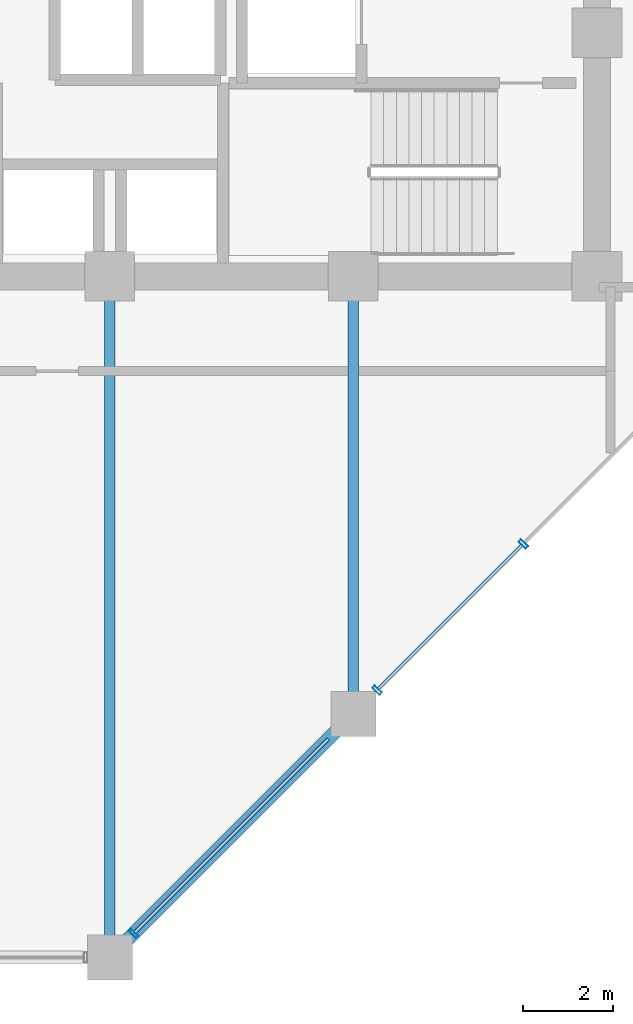
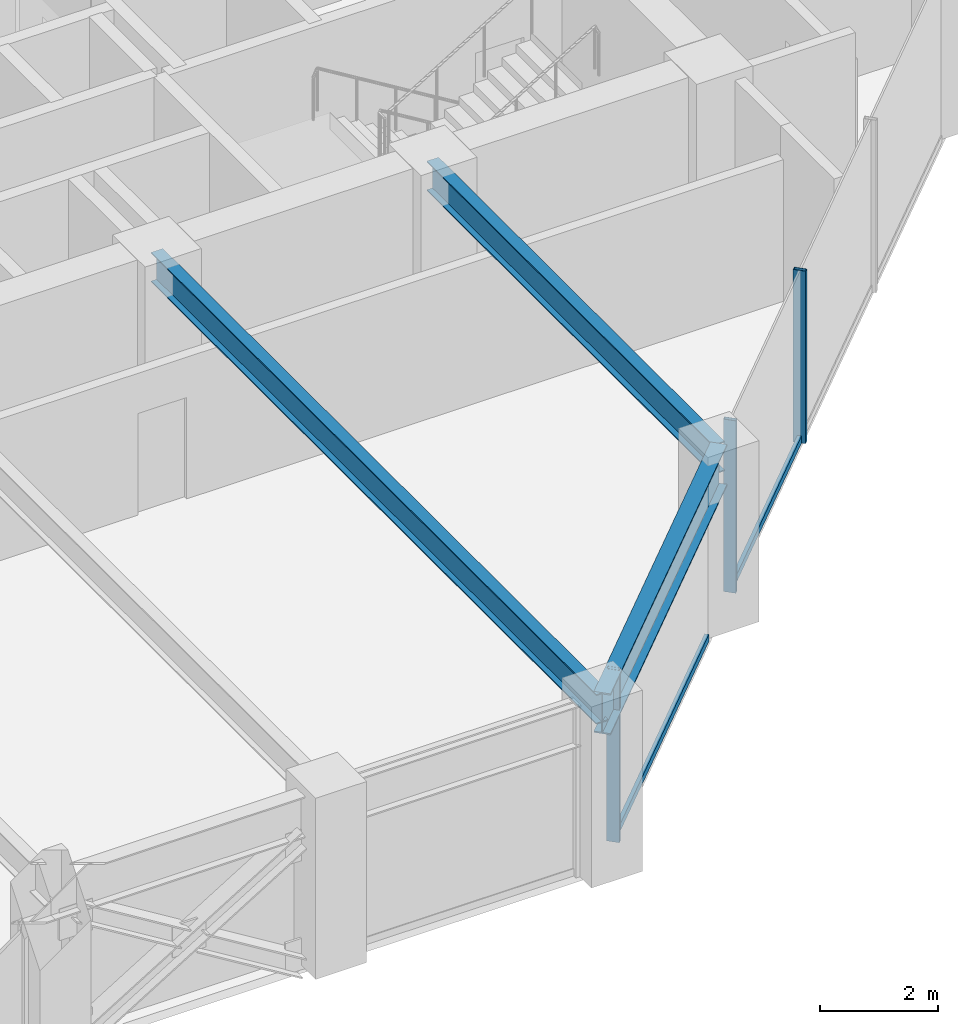
# One storey, part 7 of 23: 5 members, 3 beams, 1 element without a shape of its own.
"""IFC4 building model written with IfcOpenShell, lengths in metres."""

import ifcopenshell
import ifcopenshell.guid

model = None  # the IFC model being written
_history = None  # IfcOwnerHistory: only IFC2X3 demands one
_inside = {}  # id of a spatial element -> (the spatial element, [elements in it])
_under = {}  # id of a project, library or spatial element -> (it, [spatial elements below it])
_declared = {}  # id of a project -> (the project, [libraries it declares])
_typed = {}  # id of a type object -> (the type object, [elements of that type])
_made_of = {}  # id of a material, layer set ... -> (it, [elements and type objects made of it])


def new_model(schema):
    """Start an empty IFC model of exactly this schema.

    Asked for "IFC4X3", IfcOpenShell would pick the latest addendum, in which some entities
    have other attributes; the version numbers below select the first issue.
    IFC2X3 requires an IfcOwnerHistory on every rooted entity: one is made here for all.
    """
    global model, _history
    if schema == "IFC4X3":
        model = ifcopenshell.file(schema_version=(4, 3, 0, 0))
    else:
        model = ifcopenshell.file(schema=schema)
    _inside.clear()
    _under.clear()
    _declared.clear()
    _typed.clear()
    _made_of.clear()
    _history = None
    if model.schema == "IFC2X3":
        org = make("IfcOrganization", Name="unknown")
        user = make(
            "IfcPersonAndOrganization",
            ThePerson=make("IfcPerson", FamilyName="unknown"),
            TheOrganization=org,
        )
        app = make(
            "IfcApplication",
            ApplicationDeveloper=org,
            Version="unknown",
            ApplicationFullName="unknown",
            ApplicationIdentifier="unknown",
        )
        _history = make(
            "IfcOwnerHistory",
            OwningUser=user,
            OwningApplication=app,
            ChangeAction="ADDED",
            CreationDate=0,
        )
    return model


def make(cls, **values):
    """One entity of the class cls with the attributes given. An attribute that is None is left unset."""
    return model.create_entity(
        cls, **{name: value for name, value in values.items() if value is not None}
    )


def rooted(cls, **values):
    """An entity with a GlobalId (a new one), such as an element, a storey or a relation."""
    return make(cls, GlobalId=ifcopenshell.guid.new(), OwnerHistory=_history, **values)


def si_unit(unit_type, name, prefix=None):
    """IfcSIUnit, for example si_unit("LENGTHUNIT", "METRE", prefix="MILLI")."""
    return make("IfcSIUnit", UnitType=unit_type, Prefix=prefix, Name=name)


def assignment(units):
    """IfcUnitAssignment: the units of a project."""
    return None if units is None else make("IfcUnitAssignment", Units=units)


def point(xyz):
    """IfcCartesianPoint."""
    return None if xyz is None else make("IfcCartesianPoint", Coordinates=xyz)


def direction(xyz):
    """IfcDirection."""
    return None if xyz is None else make("IfcDirection", DirectionRatios=xyz)


def frame(location, z_axis=None, x_axis=None):
    """IfcAxis2Placement3D, a coordinate frame: its origin and axes. An axis left out is left unset."""
    return make(
        "IfcAxis2Placement3D",
        Location=point(location),
        Axis=direction(z_axis),
        RefDirection=direction(x_axis),
    )


def frame_2d(location, x_axis=None):
    """IfcAxis2Placement2D, a coordinate frame in the plane: its origin and x axis."""
    return make(
        "IfcAxis2Placement2D", Location=point(location), RefDirection=direction(x_axis)
    )


def origin():
    """The frame at (0, 0, 0) with its axes left unset."""
    return frame((0.0, 0.0, 0.0))


def origin_2d():
    """The frame at (0, 0) in the plane with its x axis left unset."""
    return frame_2d((0.0, 0.0))


def place(relative_to, where):
    """IfcLocalPlacement: puts the frame where relative to a parent placement (None: the world)."""
    return make(
        "IfcLocalPlacement", PlacementRelTo=relative_to, RelativePlacement=where
    )


def context(
    kind, dimensions, precision=None, world=None, true_north=None, identifier=None
):
    """IfcGeometricRepresentationContext, for example the 3D "Model" context."""
    return make(
        "IfcGeometricRepresentationContext",
        ContextIdentifier=identifier,
        ContextType=kind,
        CoordinateSpaceDimension=dimensions,
        Precision=precision,
        WorldCoordinateSystem=world,
        TrueNorth=true_north,
    )


def subcontext(parent, identifier, kind, view, scale=None):
    """IfcGeometricRepresentationSubContext, for example "Body" below "Model"."""
    return make(
        "IfcGeometricRepresentationSubContext",
        ContextIdentifier=identifier,
        ContextType=kind,
        ParentContext=parent,
        TargetScale=scale,
        TargetView=view,
    )


def project(units=None, contexts=None):
    """IfcProject with its units and contexts."""
    return rooted(
        "IfcProject",
        Name="project",
        RepresentationContexts=contexts,
        UnitsInContext=assignment(units),
    )


def spatial(cls, under=None, at=None, **own):
    """A site, building, storey or space (cls), placed at a placement, below another one or the project."""
    s = rooted(cls, ObjectPlacement=at, **own)
    if under is not None:
        _under.setdefault(under.id(), (under, []))[1].append(s)
    return s


def profile(cls, at=None, kind="AREA", **sizes):
    """A parametric profile (cls). Its sizes go by their IFC names, for example OverallWidth=200.0."""
    return make(cls, ProfileType=kind, Position=at, **sizes)


def hollow_rectangle(**sizes):
    """IfcRectangleHollowProfileDef."""
    return profile("IfcRectangleHollowProfileDef", **sizes)


def i_section(**sizes):
    """IfcIShapeProfileDef."""
    return profile("IfcIShapeProfileDef", **sizes)


def extrude(swept, where, along, depth):
    """IfcExtrudedAreaSolid: the profile swept, set in the frame where, extruded along a direction by depth."""
    return make(
        "IfcExtrudedAreaSolid",
        SweptArea=swept,
        Position=where,
        ExtrudedDirection=direction(along),
        Depth=depth,
    )


def shape(context_of_items, identifier, shape_type, items):
    """IfcShapeRepresentation: the items that make up one representation, for example the "Body"."""
    return make(
        "IfcShapeRepresentation",
        ContextOfItems=context_of_items,
        RepresentationIdentifier=identifier,
        RepresentationType=shape_type,
        Items=items,
    )


def material(Name=None, Category=None):
    """IfcMaterial."""
    return make("IfcMaterial", Name=Name, Category=Category)


def layer(
    of_material, thickness, ventilated=None, Name=None, Category=None, Priority=None
):
    """IfcMaterialLayer: one layer of a wall or slab, of a material (None: an air gap)."""
    return make(
        "IfcMaterialLayer",
        Material=of_material,
        LayerThickness=thickness,
        IsVentilated=ventilated,
        Name=Name,
        Category=Category,
        Priority=Priority,
    )


def layer_set(layers, Name=None):
    """IfcMaterialLayerSet."""
    return make("IfcMaterialLayerSet", MaterialLayers=layers, LayerSetName=Name)


def material_profile(
    of_material, cross_section, Name=None, Category=None, Priority=None
):
    """IfcMaterialProfile: a cross section and its material."""
    return make(
        "IfcMaterialProfile",
        Name=Name,
        Material=of_material,
        Profile=cross_section,
        Priority=Priority,
        Category=Category,
    )


def profile_set(profiles, Name=None, composite=None):
    """IfcMaterialProfileSet."""
    return make(
        "IfcMaterialProfileSet",
        Name=Name,
        MaterialProfiles=profiles,
        CompositeProfile=composite,
    )


def made_of(thing, what):
    """Note that an element or type object is made of a material, layer set ...; save() writes the relation."""
    if what is not None:
        _made_of.setdefault(what.id(), (what, []))[1].append(thing)
    return thing


def type_object(cls, material=None, **own):
    """A type object (cls), such as IfcWallType, which elements share."""
    return made_of(rooted(cls, **own), material)


def element(
    cls,
    number,
    at=None,
    inside=None,
    cuts=None,
    type_object=None,
    material=None,
    context=None,
    identifier="Body",
    shape_type=None,
    held_by="IfcProductDefinitionShape",
    body=None,
    shapes=None,
    **own,
):
    """One element of the class cls, such as IfcWall. Its Tag is "e" and its number.

    at: its placement. inside: the storey or other place that contains it. cuts: it is an
    opening in that element (IfcRelVoidsElement). A single representation is given by context,
    identifier, shape_type and body (its items); several are given by shapes. held_by: the class
    of the entity that holds the representations. save() writes the other relations.
    """
    e = rooted(cls, Tag="e%d" % number, ObjectPlacement=at, **own)
    if body is not None:
        shapes = [shape(context, identifier, shape_type, body)]
    if shapes is not None:
        e.Representation = make(held_by, Representations=shapes)
    if inside is not None:
        _inside.setdefault(inside.id(), (inside, []))[1].append(e)
    if cuts is not None:
        rooted(
            "IfcRelVoidsElement", RelatingBuildingElement=cuts, RelatedOpeningElement=e
        )
    if type_object is not None:
        _typed.setdefault(type_object.id(), (type_object, []))[1].append(e)
    return made_of(e, material)


def aggregate(whole, parts):
    """IfcRelAggregates: a whole, such as a stair, and the parts it consists of."""
    return rooted("IfcRelAggregates", RelatingObject=whole, RelatedObjects=parts)


def save(model, path):
    """Write the relations noted so far, then the file.

    IfcRelAggregates (storeys below a building ...), IfcRelContainedInSpatialStructure (elements
    in a storey), IfcRelDefinesByType, IfcRelAssociatesMaterial and IfcRelDeclares: one each for
    every whole, place, type object, material and project.
    """
    for whole, parts in _under.values():
        aggregate(whole, parts)
    for where, things in _inside.values():
        rooted(
            "IfcRelContainedInSpatialStructure",
            RelatedElements=things,
            RelatingStructure=where,
        )
    for kind, things in _typed.values():
        rooted("IfcRelDefinesByType", RelatedObjects=things, RelatingType=kind)
    for what, things in _made_of.values():
        rooted("IfcRelAssociatesMaterial", RelatedObjects=things, RelatingMaterial=what)
    for by, libraries in _declared.values():
        rooted("IfcRelDeclares", RelatingContext=by, RelatedDefinitions=libraries)
    model.write(path)


model = new_model("IFC4")

# Units and contexts
model_context = context("Model", 3, precision=1e-05, world=origin(), true_north=direction((0.0, 1.0)))
body_context = subcontext(model_context, "Body", "Model", "MODEL_VIEW")
ifc_project = project(units=[si_unit("LENGTHUNIT", "METRE"), si_unit("AREAUNIT", "SQUARE_METRE"), si_unit("VOLUMEUNIT", "CUBIC_METRE"), si_unit("PLANEANGLEUNIT", "RADIAN"), si_unit("MASSUNIT", "GRAM", prefix="KILO")], contexts=[model_context])

# Site, building, storey
site_placement = place(None, origin())
site = spatial("IfcSite", under=ifc_project, at=site_placement, CompositionType="ELEMENT")
building_placement = place(site_placement, origin())
building = spatial("IfcBuilding", under=site, at=building_placement, Name="Surkhivell Harbour Commons", CompositionType="ELEMENT")
storey_placement = place(building_placement, frame((0.0, 0.0, 128.25)))
storey = spatial("IfcBuildingStorey", under=building, at=storey_placement, Name="L33", CompositionType="ELEMENT", Elevation=128.25)

# Beams
ifc_material_1 = material(Name="Steel S355", Category="steel")
ifc_material_profile_1 = material_profile(ifc_material_1, i_section(OverallWidth=0.22998046875, OverallDepth=0.616943359375, WebThickness=0.01318359375, FlangeThickness=0.022216796875, at=origin_2d()), Name="UB610x229x140")
ifc_profile_set_1 = profile_set([ifc_material_profile_1], Name="Steel S355")
beam_type_1 = type_object("IfcBeamType", Name="BM-GRD-610B", PredefinedType="BEAM", material=ifc_profile_set_1)
beam_1_placement = place(storey_placement, frame((0.0, -25.89990234375, 3.261474609375), z_axis=(0.0, 1.0, 0.0), x_axis=(-1.0, 0.0, 0.0)))
element("IfcBeam", 1, at=beam_1_placement, inside=storey, type_object=beam_type_1, Name="L33 Floor Girder (0.0,-25.9)", PredefinedType="BEAM", context=body_context, shape_type="SweptSolid", body=[
    extrude(i_section(OverallWidth=0.22998046875, OverallDepth=0.616943359375, WebThickness=0.01318359375, FlangeThickness=0.022216796875, at=origin_2d()), origin(), (0.0, 0.0, 1.0), 15.099853515625),
])
beam_2_placement = place(storey_placement, frame((5.39990234375, -20.5, 3.261474609375), z_axis=(0.0, 1.0, 0.0), x_axis=(-1.0, 0.0, 0.0)))
element("IfcBeam", 2, at=beam_2_placement, inside=storey, type_object=beam_type_1, Name="L33 Floor Girder (5.4,-20.5)", PredefinedType="BEAM", context=body_context, shape_type="SweptSolid", body=[
    extrude(i_section(OverallWidth=0.22998046875, OverallDepth=0.616943359375, WebThickness=0.01318359375, FlangeThickness=0.022216796875, at=origin_2d()), origin(), (0.0, 0.0, 1.0), 9.699951171875),
])
ifc_material_2 = material(Name="Steel S460", Category="steel")
ifc_material_profile_2 = material_profile(ifc_material_2, i_section(OverallWidth=0.2939453125, OverallDepth=0.85107421875, WebThickness=0.01611328125, FlangeThickness=0.02685546875, at=origin_2d()), Name="UB838x292x226")
ifc_profile_set_2 = profile_set([ifc_material_profile_2], Name="Steel S460")
beam_type_2 = type_object("IfcBeamType", Name="BM-SPN-838", PredefinedType="SPANDREL", material=ifc_profile_set_2)
beam_3_placement = place(storey_placement, frame((0.0, -25.89990234375, 3.14453125), z_axis=(0.707106781187, 0.707106781187, 0.0), x_axis=(-0.707106781187, 0.707106781187, 0.0)))
element("IfcBeam", 3, at=beam_3_placement, inside=storey, type_object=beam_type_2, Name="L33 Tube Spandrel (-0.0,-25.9)", PredefinedType="SPANDREL", context=body_context, shape_type="SweptSolid", body=[
    extrude(i_section(OverallWidth=0.2939453125, OverallDepth=0.85107421875, WebThickness=0.01611328125, FlangeThickness=0.02685546875, at=origin_2d()), origin(), (0.0, 0.0, 1.0), 7.63671875),
])

# Curtain wall, members
ifc_material_3 = material(Name="Anodised pale-metal aluminium and insulated glazing", Category="aluminium")
ifc_layer = layer(ifc_material_3, 0.205078125)
ifc_layer_set = layer_set([ifc_layer], Name="Anodised pale-metal aluminium and insulated glazing")
curtain_wall_type = type_object("IfcCurtainWallType", Name="CW-SYS-Z2", PredefinedType="NOTDEFINED", material=ifc_layer_set)
curtain_wall_placement = place(storey_placement, origin())
curtain_wall = element("IfcCurtainWall", 4, at=curtain_wall_placement, inside=storey, type_object=curtain_wall_type, Name="L33 Curtain Wall CW-L33-E01", PredefinedType="NOTDEFINED")
ifc_material_4 = material(Name="Anodised pale-metal aluminium alloy 6063-T6", Category="aluminium")
ifc_material_profile_3 = material_profile(ifc_material_4, hollow_rectangle(XDim=0.074951171875, YDim=0.219970703125, WallThickness=0.00390625, at=origin_2d()), Name="ALU-MULL-75x220")
ifc_profile_set_3 = profile_set([ifc_material_profile_3], Name="Anodised pale-metal aluminium alloy 6063-T6")
member_type_1 = type_object("IfcMemberType", Name="CWM-220", PredefinedType="MULLION", material=ifc_profile_set_3)
member_1_placement = place(storey_placement, frame((0.5283203125, -25.371826171875, 0.0), z_axis=(0.0, 0.0, 1.0), x_axis=(0.707106781187, 0.707106781187, 0.0)))
member_1 = element("IfcMember", 5, at=member_1_placement, type_object=member_type_1, Name="CW-Z2 mullion 1", PredefinedType="MULLION", context=body_context, shape_type="SweptSolid", body=[
    extrude(hollow_rectangle(XDim=0.074951171875, YDim=0.219970703125, WallThickness=0.00390625, at=origin_2d()), origin(), (0.0, 0.0, 1.0), 3.570068359375),
])
member_2_placement = place(storey_placement, frame((5.92822265625, -19.9716796875, 0.0), z_axis=(0.0, 0.0, 1.0), x_axis=(0.707106781187, 0.707106781187, 0.0)))
member_2 = element("IfcMember", 6, at=member_2_placement, type_object=member_type_1, Name="CW-Z2 mullion 2", PredefinedType="MULLION", context=body_context, shape_type="SweptSolid", body=[
    extrude(hollow_rectangle(XDim=0.074951171875, YDim=0.219970703125, WallThickness=0.00390625, at=origin_2d()), origin(), (0.0, 0.0, 1.0), 3.570068359375),
])
member_3_placement = place(storey_placement, frame((9.167236328125, -16.732666015625, 0.0), z_axis=(0.0, 0.0, 1.0), x_axis=(0.707106781187, 0.707106781187, 0.0)))
member_3 = element("IfcMember", 7, at=member_3_placement, type_object=member_type_1, Name="CW-Z2 mullion 3", PredefinedType="MULLION", context=body_context, shape_type="SweptSolid", body=[
    extrude(hollow_rectangle(XDim=0.074951171875, YDim=0.219970703125, WallThickness=0.00390625, at=origin_2d()), origin(), (0.0, 0.0, 1.0), 3.570068359375),
])
ifc_material_profile_4 = material_profile(ifc_material_4, hollow_rectangle(XDim=0.074951171875, YDim=0.14990234375, WallThickness=0.00341796875, at=origin_2d()), Name="ALU-TRAN-75x150")
ifc_profile_set_4 = profile_set([ifc_material_profile_4], Name="Anodised pale-metal aluminium alloy 6063-T6")
member_type_2 = type_object("IfcMemberType", Name="CWT-150", PredefinedType="USERDEFINED", material=ifc_profile_set_4)
member_4_placement = place(storey_placement, frame((0.5546875, -25.34521484375, 0.074951171875), z_axis=(0.707106781187, 0.707106781187, 0.0), x_axis=(-0.707106781187, 0.707106781187, 0.0)))
member_4 = element("IfcMember", 8, at=member_4_placement, type_object=member_type_2, Name="CW-Z2 transom 1.1", ObjectType="TRANSOM", PredefinedType="USERDEFINED", context=body_context, shape_type="SweptSolid", body=[
    extrude(hollow_rectangle(XDim=0.074951171875, YDim=0.14990234375, WallThickness=0.00341796875, at=origin_2d()), origin(), (0.0, 0.0, 1.0), 6.067626953125),
])
member_5_placement = place(storey_placement, frame((5.954833984375, -19.9453125, 0.074951171875), z_axis=(0.707079687416, 0.707133873919, 0.0), x_axis=(-0.707133873919, 0.707079687416, 0.0)))
member_5 = element("IfcMember", 9, at=member_5_placement, type_object=member_type_2, Name="CW-Z2 transom 2.1", ObjectType="TRANSOM", PredefinedType="USERDEFINED", context=body_context, shape_type="SweptSolid", body=[
    extrude(hollow_rectangle(XDim=0.074951171875, YDim=0.14990234375, WallThickness=0.00341796875, at=origin_2d()), origin(), (0.0, 0.0, 1.0), 4.505615234375),
])
aggregate(curtain_wall, [member_1, member_4, member_2, member_3, member_5])

save(model, "model.ifc")
